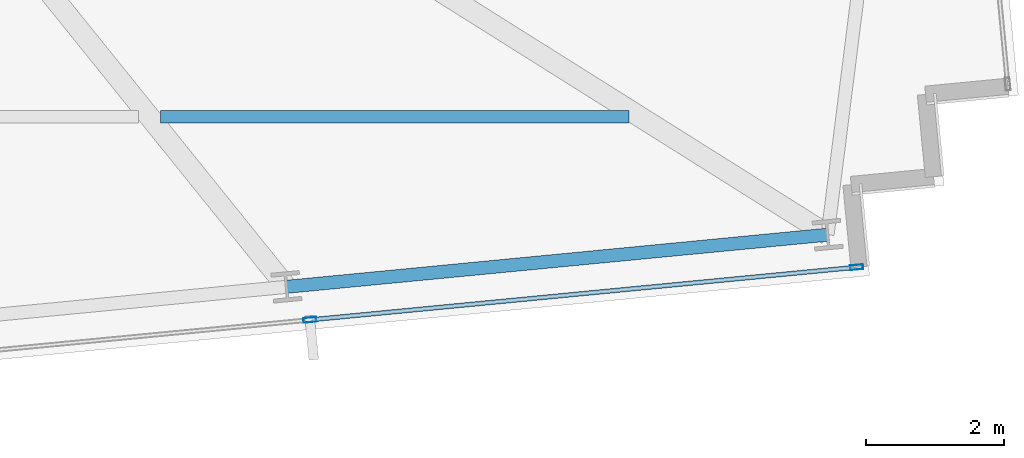
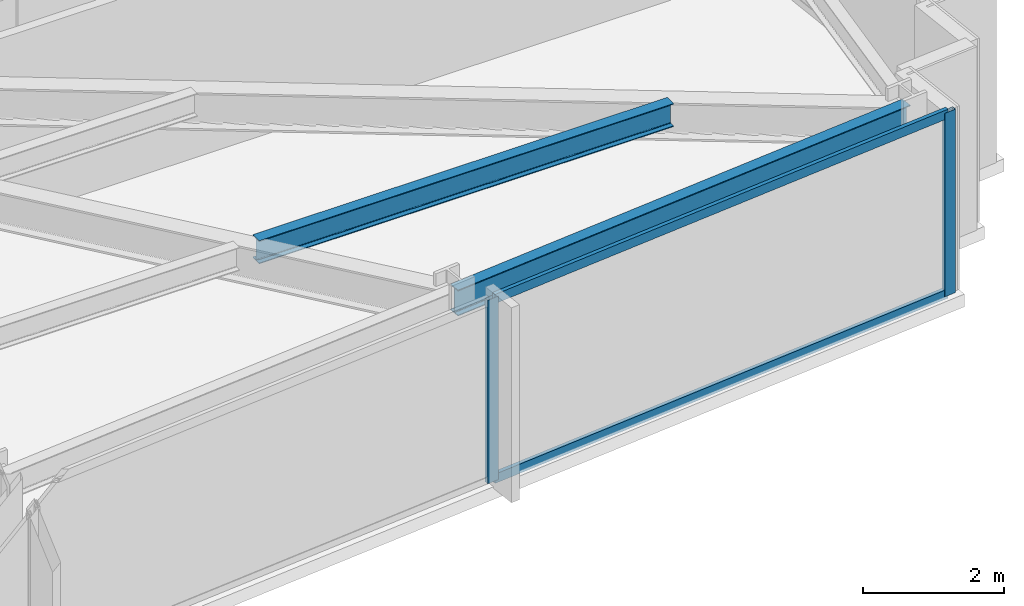
# One storey, part 12 of 32: 4 members, 2 beams, 1 element without a shape of its own.
"""IFC4 building model written with IfcOpenShell, lengths in metres."""

from ifc_helpers import new_model, si_unit, direction, frame, origin, origin_2d, place, context, subcontext, project, spatial, hollow_rectangle, i_section, extrude, material, material_profile, profile_set, type_object, element, aggregate, save


model = new_model("IFC4")

# Units and contexts
model_context = context("Model", 3, precision=1e-05, world=origin(), true_north=direction((0.0, 1.0)))
body_context = subcontext(model_context, "Body", "Model", "MODEL_VIEW")
ifc_project = project(units=[si_unit("LENGTHUNIT", "METRE"), si_unit("AREAUNIT", "SQUARE_METRE"), si_unit("VOLUMEUNIT", "CUBIC_METRE"), si_unit("PLANEANGLEUNIT", "RADIAN"), si_unit("MASSUNIT", "GRAM", prefix="KILO")], contexts=[model_context])

# Site, building, storey
site_placement = place(None, origin())
site = spatial("IfcSite", under=ifc_project, at=site_placement, CompositionType="ELEMENT")
building_placement = place(site_placement, origin())
building = spatial("IfcBuilding", under=site, at=building_placement, Name="Yelkora Congress Tower", CompositionType="ELEMENT")
storey_placement = place(building_placement, frame((0.0, 0.0, 96.5)))
storey = spatial("IfcBuildingStorey", under=building, at=storey_placement, Name="L25", CompositionType="ELEMENT", Elevation=96.5)

# Beams
ifc_material_1 = material(Name="Steel S355J2", Category="steel")
ifc_material_profile_1 = material_profile(ifc_material_1, i_section(OverallWidth=0.179931640625, OverallDepth=0.39990234375, WebThickness=0.008544921875, FlangeThickness=0.013427734375, FilletRadius=0.02099609375, at=origin_2d()), Name="IPE 400")
ifc_profile_set_1 = profile_set([ifc_material_profile_1], Name="Steel S355J2")
beam_type_1 = type_object("IfcBeamType", Name="BM-JOIST-IPE400", PredefinedType="JOIST", material=ifc_profile_set_1)
beam_1_placement = place(storey_placement, frame((65.056396484375, 16.144287109375, 2.97998046875), z_axis=(1.0, 0.0, 0.0), x_axis=(0.0, 1.0, 0.0)))
element("IfcBeam", 1, at=beam_1_placement, inside=storey, type_object=beam_type_1, Name="L25 Composite Floor Joist 10", PredefinedType="JOIST", context=body_context, shape_type="SweptSolid", body=[
    extrude(i_section(OverallWidth=0.179931640625, OverallDepth=0.39990234375, WebThickness=0.008544921875, FlangeThickness=0.013427734375, FilletRadius=0.02099609375, at=origin_2d()), origin(), (0.0, 0.0, 1.0), 6.795166015625),
])
ifc_material_profile_2 = material_profile(ifc_material_1, i_section(OverallWidth=0.18994140625, OverallDepth=0.449951171875, WebThickness=0.009521484375, FlangeThickness=0.0146484375, FilletRadius=0.02099609375, at=origin_2d()), Name="IPE 450")
ifc_profile_set_2 = profile_set([ifc_material_profile_2], Name="Steel S355J2")
beam_type_2 = type_object("IfcBeamType", Name="BM-SPAN-IPE450", PredefinedType="SPANDREL", material=ifc_profile_set_2)
beam_2_placement = place(storey_placement, frame((66.882568359375, 13.67919921875, 2.955078125), z_axis=(0.995395575667, 0.095852219286, 0.0), x_axis=(-0.095852219286, 0.995395575667, 0.0)))
element("IfcBeam", 2, at=beam_2_placement, inside=storey, type_object=beam_type_2, Name="L25 Perimeter Beam 9", PredefinedType="SPANDREL", context=body_context, shape_type="SweptSolid", body=[
    extrude(i_section(OverallWidth=0.18994140625, OverallDepth=0.449951171875, WebThickness=0.009521484375, FlangeThickness=0.0146484375, FilletRadius=0.02099609375, at=origin_2d()), origin(), (0.0, 0.0, 1.0), 7.8857421875),
])

# Curtain wall, members
ifc_material_2 = material(Name="Anodised aluminium and insulated glass", Category="aluminium")
curtain_wall_type = type_object("IfcCurtainWallType", Name="CW-SYS-B2", PredefinedType="NOTDEFINED", material=ifc_material_2)
curtain_wall_placement = place(storey_placement, origin())
curtain_wall = element("IfcCurtainWall", 3, at=curtain_wall_placement, inside=storey, type_object=curtain_wall_type, Name="L25 Unitised Curtain Wall 20", PredefinedType="NOTDEFINED")
ifc_material_3 = material(Name="Anodised aluminium 6063-T6", Category="aluminium")
ifc_material_profile_3 = material_profile(ifc_material_3, hollow_rectangle(XDim=0.070068359375, YDim=0.18994140625, WallThickness=0.00390625, at=origin_2d()), Name="ALU 70x190x4")
ifc_profile_set_3 = profile_set([ifc_material_profile_3], Name="Anodised aluminium 6063-T6")
member_type_1 = type_object("IfcMemberType", Name="MEM-ML-B2", PredefinedType="MULLION", material=ifc_profile_set_3)
member_1_placement = place(storey_placement, frame((75.154052734375, 13.96337890625, 0.0), z_axis=(0.0, 0.0, 1.0), x_axis=(0.095844345816, -0.995396333816, 0.0)))
member_1 = element("IfcMember", 4, at=member_1_placement, type_object=member_type_1, Name="CW-B2 mullion 1", PredefinedType="MULLION", context=body_context, shape_type="SweptSolid", body=[
    extrude(hollow_rectangle(XDim=0.070068359375, YDim=0.18994140625, WallThickness=0.00390625, at=origin_2d()), origin(), (0.0, 0.0, 1.0), 3.179931640625),
])
member_2_placement = place(storey_placement, frame((67.222900390625, 13.19970703125, 0.0), z_axis=(0.0, 0.0, 1.0), x_axis=(0.095844345816, -0.995396333816, 0.0)))
member_2 = element("IfcMember", 5, at=member_2_placement, type_object=member_type_1, Name="CW-B2 mullion 2", PredefinedType="MULLION", context=body_context, shape_type="SweptSolid", body=[
    extrude(hollow_rectangle(XDim=0.070068359375, YDim=0.18994140625, WallThickness=0.00390625, at=origin_2d()), origin(), (0.0, 0.0, 1.0), 3.179931640625),
])
ifc_material_profile_4 = material_profile(ifc_material_3, hollow_rectangle(XDim=0.06494140625, YDim=0.159912109375, WallThickness=0.00390625, at=origin_2d()), Name="ALU 65x160x4")
ifc_profile_set_4 = profile_set([ifc_material_profile_4], Name="Anodised aluminium 6063-T6")
member_type_2 = type_object("IfcMemberType", Name="MEM-TR-B2", PredefinedType="USERDEFINED", material=ifc_profile_set_4)
member_3_placement = place(storey_placement, frame((75.119140625, 13.9599609375, 0.032470703125), z_axis=(-0.995397978421, -0.095827264157, 0.0), x_axis=(0.095827264157, -0.995397978421, 0.0)))
member_3 = element("IfcMember", 6, at=member_3_placement, type_object=member_type_2, Name="CW-B2 transom 1.1", ObjectType="TRANSOM", PredefinedType="USERDEFINED", context=body_context, shape_type="SweptSolid", body=[
    extrude(hollow_rectangle(XDim=0.06494140625, YDim=0.159912109375, WallThickness=0.00390625, at=origin_2d()), origin(), (0.0, 0.0, 1.0), 7.89794921875),
])
member_4_placement = place(storey_placement, frame((75.119140625, 13.9599609375, 3.1474609375), z_axis=(-0.995397978421, -0.095827264157, 0.0), x_axis=(0.095827264157, -0.995397978421, 0.0)))
member_4 = element("IfcMember", 7, at=member_4_placement, type_object=member_type_2, Name="CW-B2 transom 1.2", ObjectType="TRANSOM", PredefinedType="USERDEFINED", context=body_context, shape_type="SweptSolid", body=[
    extrude(hollow_rectangle(XDim=0.06494140625, YDim=0.159912109375, WallThickness=0.00390625, at=origin_2d()), origin(), (0.0, 0.0, 1.0), 7.89794921875),
])
aggregate(curtain_wall, [member_1, member_2, member_3, member_4])

save(model, "model.ifc")
